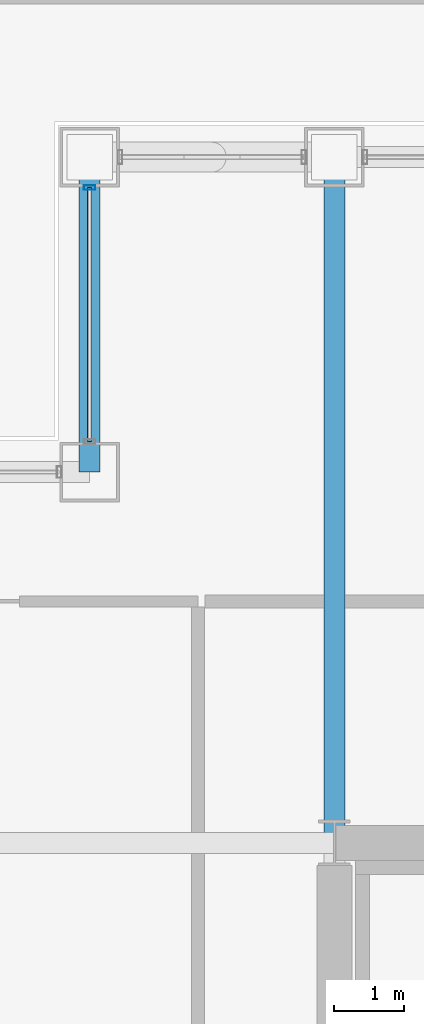
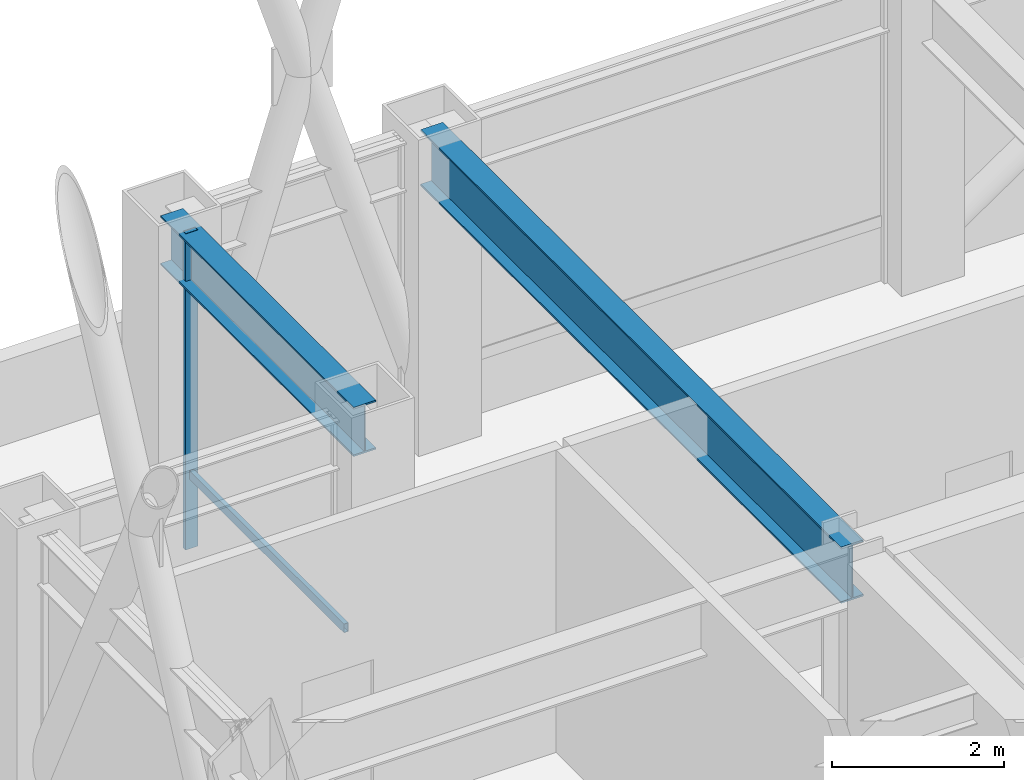
# One storey, part 19 of 32: 2 beams, 2 members, 1 element without a shape of its own.
"""IFC4 building model written with IfcOpenShell, lengths in metres."""

import ifcopenshell
import ifcopenshell.guid

model = None  # the IFC model being written
_history = None  # IfcOwnerHistory: only IFC2X3 demands one
_inside = {}  # id of a spatial element -> (the spatial element, [elements in it])
_under = {}  # id of a project, library or spatial element -> (it, [spatial elements below it])
_declared = {}  # id of a project -> (the project, [libraries it declares])
_typed = {}  # id of a type object -> (the type object, [elements of that type])
_made_of = {}  # id of a material, layer set ... -> (it, [elements and type objects made of it])


def new_model(schema):
    """Start an empty IFC model of exactly this schema.

    Asked for "IFC4X3", IfcOpenShell would pick the latest addendum, in which some entities
    have other attributes; the version numbers below select the first issue.
    IFC2X3 requires an IfcOwnerHistory on every rooted entity: one is made here for all.
    """
    global model, _history
    if schema == "IFC4X3":
        model = ifcopenshell.file(schema_version=(4, 3, 0, 0))
    else:
        model = ifcopenshell.file(schema=schema)
    _inside.clear()
    _under.clear()
    _declared.clear()
    _typed.clear()
    _made_of.clear()
    _history = None
    if model.schema == "IFC2X3":
        org = make("IfcOrganization", Name="unknown")
        user = make(
            "IfcPersonAndOrganization",
            ThePerson=make("IfcPerson", FamilyName="unknown"),
            TheOrganization=org,
        )
        app = make(
            "IfcApplication",
            ApplicationDeveloper=org,
            Version="unknown",
            ApplicationFullName="unknown",
            ApplicationIdentifier="unknown",
        )
        _history = make(
            "IfcOwnerHistory",
            OwningUser=user,
            OwningApplication=app,
            ChangeAction="ADDED",
            CreationDate=0,
        )
    return model


def make(cls, **values):
    """One entity of the class cls with the attributes given. An attribute that is None is left unset."""
    return model.create_entity(
        cls, **{name: value for name, value in values.items() if value is not None}
    )


def rooted(cls, **values):
    """An entity with a GlobalId (a new one), such as an element, a storey or a relation."""
    return make(cls, GlobalId=ifcopenshell.guid.new(), OwnerHistory=_history, **values)


def si_unit(unit_type, name, prefix=None):
    """IfcSIUnit, for example si_unit("LENGTHUNIT", "METRE", prefix="MILLI")."""
    return make("IfcSIUnit", UnitType=unit_type, Prefix=prefix, Name=name)


def assignment(units):
    """IfcUnitAssignment: the units of a project."""
    return None if units is None else make("IfcUnitAssignment", Units=units)


def point(xyz):
    """IfcCartesianPoint."""
    return None if xyz is None else make("IfcCartesianPoint", Coordinates=xyz)


def direction(xyz):
    """IfcDirection."""
    return None if xyz is None else make("IfcDirection", DirectionRatios=xyz)


def frame(location, z_axis=None, x_axis=None):
    """IfcAxis2Placement3D, a coordinate frame: its origin and axes. An axis left out is left unset."""
    return make(
        "IfcAxis2Placement3D",
        Location=point(location),
        Axis=direction(z_axis),
        RefDirection=direction(x_axis),
    )


def frame_2d(location, x_axis=None):
    """IfcAxis2Placement2D, a coordinate frame in the plane: its origin and x axis."""
    return make(
        "IfcAxis2Placement2D", Location=point(location), RefDirection=direction(x_axis)
    )


def origin():
    """The frame at (0, 0, 0) with its axes left unset."""
    return frame((0.0, 0.0, 0.0))


def origin_2d():
    """The frame at (0, 0) in the plane with its x axis left unset."""
    return frame_2d((0.0, 0.0))


def place(relative_to, where):
    """IfcLocalPlacement: puts the frame where relative to a parent placement (None: the world)."""
    return make(
        "IfcLocalPlacement", PlacementRelTo=relative_to, RelativePlacement=where
    )


def context(
    kind, dimensions, precision=None, world=None, true_north=None, identifier=None
):
    """IfcGeometricRepresentationContext, for example the 3D "Model" context."""
    return make(
        "IfcGeometricRepresentationContext",
        ContextIdentifier=identifier,
        ContextType=kind,
        CoordinateSpaceDimension=dimensions,
        Precision=precision,
        WorldCoordinateSystem=world,
        TrueNorth=true_north,
    )


def subcontext(parent, identifier, kind, view, scale=None):
    """IfcGeometricRepresentationSubContext, for example "Body" below "Model"."""
    return make(
        "IfcGeometricRepresentationSubContext",
        ContextIdentifier=identifier,
        ContextType=kind,
        ParentContext=parent,
        TargetScale=scale,
        TargetView=view,
    )


def project(units=None, contexts=None):
    """IfcProject with its units and contexts."""
    return rooted(
        "IfcProject",
        Name="project",
        RepresentationContexts=contexts,
        UnitsInContext=assignment(units),
    )


def spatial(cls, under=None, at=None, **own):
    """A site, building, storey or space (cls), placed at a placement, below another one or the project."""
    s = rooted(cls, ObjectPlacement=at, **own)
    if under is not None:
        _under.setdefault(under.id(), (under, []))[1].append(s)
    return s


def profile(cls, at=None, kind="AREA", **sizes):
    """A parametric profile (cls). Its sizes go by their IFC names, for example OverallWidth=200.0."""
    return make(cls, ProfileType=kind, Position=at, **sizes)


def hollow_rectangle(**sizes):
    """IfcRectangleHollowProfileDef."""
    return profile("IfcRectangleHollowProfileDef", **sizes)


def i_section(**sizes):
    """IfcIShapeProfileDef."""
    return profile("IfcIShapeProfileDef", **sizes)


def extrude(swept, where, along, depth):
    """IfcExtrudedAreaSolid: the profile swept, set in the frame where, extruded along a direction by depth."""
    return make(
        "IfcExtrudedAreaSolid",
        SweptArea=swept,
        Position=where,
        ExtrudedDirection=direction(along),
        Depth=depth,
    )


def shape(context_of_items, identifier, shape_type, items):
    """IfcShapeRepresentation: the items that make up one representation, for example the "Body"."""
    return make(
        "IfcShapeRepresentation",
        ContextOfItems=context_of_items,
        RepresentationIdentifier=identifier,
        RepresentationType=shape_type,
        Items=items,
    )


def material(Name=None, Category=None):
    """IfcMaterial."""
    return make("IfcMaterial", Name=Name, Category=Category)


def layer(
    of_material, thickness, ventilated=None, Name=None, Category=None, Priority=None
):
    """IfcMaterialLayer: one layer of a wall or slab, of a material (None: an air gap)."""
    return make(
        "IfcMaterialLayer",
        Material=of_material,
        LayerThickness=thickness,
        IsVentilated=ventilated,
        Name=Name,
        Category=Category,
        Priority=Priority,
    )


def layer_set(layers, Name=None):
    """IfcMaterialLayerSet."""
    return make("IfcMaterialLayerSet", MaterialLayers=layers, LayerSetName=Name)


def material_profile(
    of_material, cross_section, Name=None, Category=None, Priority=None
):
    """IfcMaterialProfile: a cross section and its material."""
    return make(
        "IfcMaterialProfile",
        Name=Name,
        Material=of_material,
        Profile=cross_section,
        Priority=Priority,
        Category=Category,
    )


def profile_set(profiles, Name=None, composite=None):
    """IfcMaterialProfileSet."""
    return make(
        "IfcMaterialProfileSet",
        Name=Name,
        MaterialProfiles=profiles,
        CompositeProfile=composite,
    )


def made_of(thing, what):
    """Note that an element or type object is made of a material, layer set ...; save() writes the relation."""
    if what is not None:
        _made_of.setdefault(what.id(), (what, []))[1].append(thing)
    return thing


def type_object(cls, material=None, **own):
    """A type object (cls), such as IfcWallType, which elements share."""
    return made_of(rooted(cls, **own), material)


def element(
    cls,
    number,
    at=None,
    inside=None,
    cuts=None,
    type_object=None,
    material=None,
    context=None,
    identifier="Body",
    shape_type=None,
    held_by="IfcProductDefinitionShape",
    body=None,
    shapes=None,
    **own,
):
    """One element of the class cls, such as IfcWall. Its Tag is "e" and its number.

    at: its placement. inside: the storey or other place that contains it. cuts: it is an
    opening in that element (IfcRelVoidsElement). A single representation is given by context,
    identifier, shape_type and body (its items); several are given by shapes. held_by: the class
    of the entity that holds the representations. save() writes the other relations.
    """
    e = rooted(cls, Tag="e%d" % number, ObjectPlacement=at, **own)
    if body is not None:
        shapes = [shape(context, identifier, shape_type, body)]
    if shapes is not None:
        e.Representation = make(held_by, Representations=shapes)
    if inside is not None:
        _inside.setdefault(inside.id(), (inside, []))[1].append(e)
    if cuts is not None:
        rooted(
            "IfcRelVoidsElement", RelatingBuildingElement=cuts, RelatedOpeningElement=e
        )
    if type_object is not None:
        _typed.setdefault(type_object.id(), (type_object, []))[1].append(e)
    return made_of(e, material)


def aggregate(whole, parts):
    """IfcRelAggregates: a whole, such as a stair, and the parts it consists of."""
    return rooted("IfcRelAggregates", RelatingObject=whole, RelatedObjects=parts)


def save(model, path):
    """Write the relations noted so far, then the file.

    IfcRelAggregates (storeys below a building ...), IfcRelContainedInSpatialStructure (elements
    in a storey), IfcRelDefinesByType, IfcRelAssociatesMaterial and IfcRelDeclares: one each for
    every whole, place, type object, material and project.
    """
    for whole, parts in _under.values():
        aggregate(whole, parts)
    for where, things in _inside.values():
        rooted(
            "IfcRelContainedInSpatialStructure",
            RelatedElements=things,
            RelatingStructure=where,
        )
    for kind, things in _typed.values():
        rooted("IfcRelDefinesByType", RelatedObjects=things, RelatingType=kind)
    for what, things in _made_of.values():
        rooted("IfcRelAssociatesMaterial", RelatedObjects=things, RelatingMaterial=what)
    for by, libraries in _declared.values():
        rooted("IfcRelDeclares", RelatingContext=by, RelatedDefinitions=libraries)
    model.write(path)


model = new_model("IFC4")

# Units and contexts
model_context = context("Model", 3, precision=1e-05, world=origin(), true_north=direction((0.0, 1.0)))
body_context = subcontext(model_context, "Body", "Model", "MODEL_VIEW")
ifc_project = project(units=[si_unit("LENGTHUNIT", "METRE"), si_unit("AREAUNIT", "SQUARE_METRE"), si_unit("VOLUMEUNIT", "CUBIC_METRE"), si_unit("PLANEANGLEUNIT", "RADIAN"), si_unit("MASSUNIT", "GRAM", prefix="KILO")], contexts=[model_context])

# Site, building, storey
site_placement = place(None, origin())
site = spatial("IfcSite", under=ifc_project, at=site_placement, CompositionType="ELEMENT")
building_placement = place(site_placement, origin())
building = spatial("IfcBuilding", under=site, at=building_placement, Name="Brelmoor Portico Tower", CompositionType="ELEMENT")
storey_placement = place(building_placement, frame((0.0, 0.0, 87.300048828125)))
storey = spatial("IfcBuildingStorey", under=building, at=storey_placement, Name="L22", CompositionType="ELEMENT", Elevation=87.300048828125)

# Beams
ifc_material_1 = material(Name="Steel Q355B", Category="steel")
ifc_material_profile_1 = material_profile(ifc_material_1, i_section(OverallWidth=0.300048828125, OverallDepth=0.800048828125, WebThickness=0.013916015625, FlangeThickness=0.02587890625, at=origin_2d()), Name="HN 800x300x14x26")
ifc_profile_set_1 = profile_set([ifc_material_profile_1], Name="Steel Q355B")
beam_type_1 = type_object("IfcBeamType", Name="BM-PG-800", PredefinedType="BEAM", material=ifc_profile_set_1)
beam_1_placement = place(storey_placement, frame((-14.550048828125, 9.75, 3.89990234375), z_axis=(0.0, 1.0, 0.0), x_axis=(-1.0, 0.0, 0.0)))
element("IfcBeam", 1, at=beam_1_placement, inside=storey, type_object=beam_type_1, Name="L22 Primary Floor Girder PG-04", PredefinedType="BEAM", context=body_context, shape_type="SweptSolid", body=[
    extrude(i_section(OverallWidth=0.300048828125, OverallDepth=0.800048828125, WebThickness=0.013916015625, FlangeThickness=0.02587890625, at=origin_2d()), origin(), (0.0, 0.0, 1.0), 9.800048828125),
])
ifc_material_profile_2 = material_profile(ifc_material_1, i_section(OverallWidth=0.300048828125, OverallDepth=0.699951171875, WebThickness=0.012939453125, FlangeThickness=0.02392578125, at=origin_2d()), Name="HN 700x300x13x24")
ifc_profile_set_2 = profile_set([ifc_material_profile_2], Name="Steel Q355B")
beam_type_2 = type_object("IfcBeamType", Name="BM-SP-700", PredefinedType="SPANDREL", material=ifc_profile_set_2)
beam_2_placement = place(storey_placement, frame((-18.050048828125, 15.050048828125, 3.949951171875), z_axis=(0.0, 1.0, 0.0), x_axis=(-1.0, 0.0, 0.0)))
element("IfcBeam", 2, at=beam_2_placement, inside=storey, type_object=beam_type_2, Name="L22 Perimeter Spandrel Beam SP-19", PredefinedType="SPANDREL", context=body_context, shape_type="SweptSolid", body=[
    extrude(i_section(OverallWidth=0.300048828125, OverallDepth=0.699951171875, WebThickness=0.012939453125, FlangeThickness=0.02392578125, at=origin_2d()), origin(), (0.0, 0.0, 1.0), 4.5),
])

# Curtain wall, members
ifc_material_2 = material(Name="Anodised Aluminium Alloy 6063-T6", Category="aluminium")
ifc_layer = layer(ifc_material_2, 0.179931640625)
ifc_layer_set = layer_set([ifc_layer], Name="Anodised Aluminium Alloy 6063-T6")
curtain_wall_type = type_object("IfcCurtainWallType", Name="CW-NOTCH-CHAMFER", PredefinedType="NOTDEFINED", material=ifc_layer_set)
curtain_wall_placement = place(storey_placement, origin())
curtain_wall = element("IfcCurtainWall", 3, at=curtain_wall_placement, inside=storey, type_object=curtain_wall_type, Name="L22 Curtain Wall CWN-L22-NWV", PredefinedType="NOTDEFINED")
ifc_material_profile_3 = material_profile(ifc_material_2, hollow_rectangle(XDim=0.06494140625, YDim=0.1650390625, WallThickness=0.00390625, at=origin_2d()), Name="ALU MULLION 65x165")
ifc_profile_set_3 = profile_set([ifc_material_profile_3], Name="Anodised Aluminium Alloy 6063-T6")
member_type_1 = type_object("IfcMemberType", Name="MB-CW-MULL-165", PredefinedType="MULLION", material=ifc_profile_set_3)
member_1_placement = place(storey_placement, frame((-18.050048828125, 19.114990234375, -0.199951171875), z_axis=(0.0, 0.0, 1.0), x_axis=(0.0, 1.0, 0.0)))
member_1 = element("IfcMember", 4, at=member_1_placement, type_object=member_type_1, Name="CWN-L22-NWV Mullion 01", PredefinedType="MULLION", context=body_context, shape_type="SweptSolid", body=[
    extrude(hollow_rectangle(XDim=0.06494140625, YDim=0.1650390625, WallThickness=0.00390625, at=origin_2d()), origin(), (0.0, 0.0, 1.0), 4.5),
])
ifc_material_profile_4 = material_profile(ifc_material_2, hollow_rectangle(XDim=0.06005859375, YDim=0.125, WallThickness=0.00341796875, at=origin_2d()), Name="ALU TRANSOM 60x125")
ifc_profile_set_4 = profile_set([ifc_material_profile_4], Name="Anodised Aluminium Alloy 6063-T6")
member_type_2 = type_object("IfcMemberType", Name="MB-CW-TRAN-125", PredefinedType="USERDEFINED", material=ifc_profile_set_4)
member_2_placement = place(storey_placement, frame((-18.050048828125, 15.485107421875, 0.849853515625), z_axis=(0.0, 1.0, 0.0), x_axis=(-1.0, 0.0, 0.0)))
member_2 = element("IfcMember", 5, at=member_2_placement, type_object=member_type_2, Name="CWN-L22-NWV Transom 1-00", ObjectType="TRANSOM", PredefinedType="USERDEFINED", context=body_context, shape_type="SweptSolid", body=[
    extrude(hollow_rectangle(XDim=0.06005859375, YDim=0.125, WallThickness=0.00341796875, at=origin_2d()), origin(), (0.0, 0.0, 1.0), 3.6298828125),
])
aggregate(curtain_wall, [member_1, member_2])

save(model, "model.ifc")
